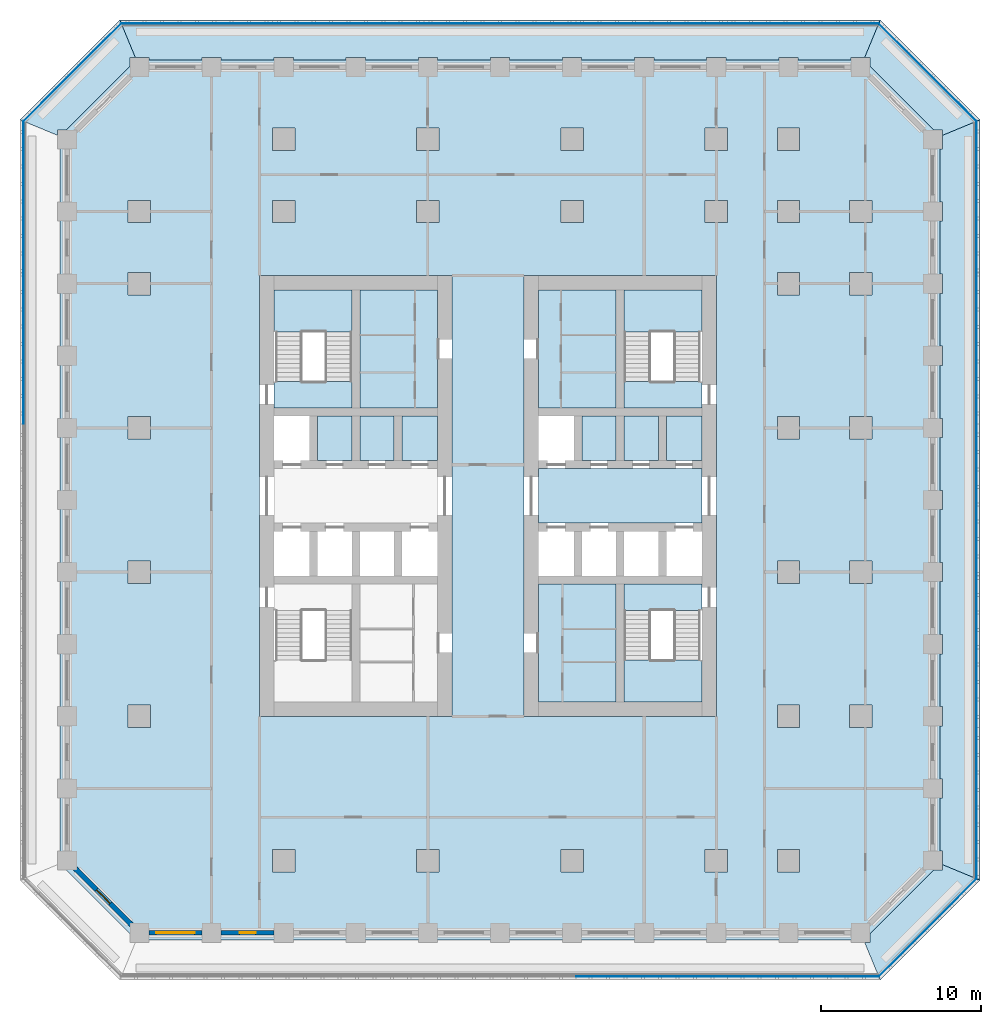
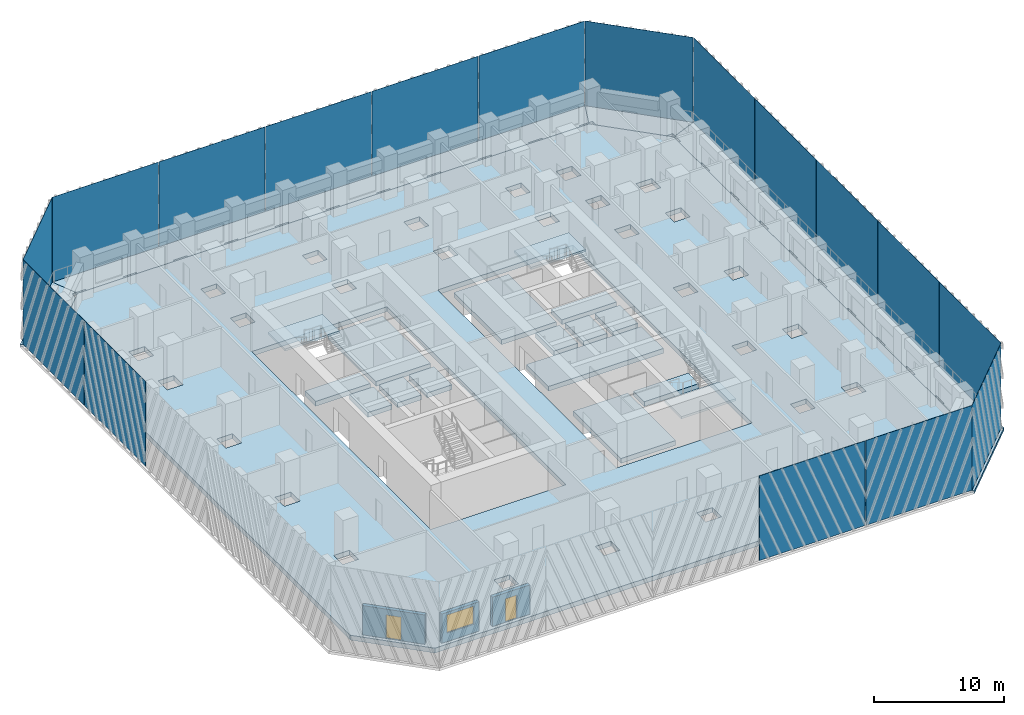
# One storey, part 2 of 19: 22 slabs, 17 plates, 3 walls, 2 doors, 1 window, 3 openings, 3 elements without a shape of their own.
"""IFC4 building model written with IfcOpenShell, lengths in metres."""

from ifc_helpers import new_model, si_unit, direction, frame, frame_2d, origin, origin_2d, place, context, subcontext, project, spatial, polyline, rectangle, outline, extrude, material, layer, layer_set, type_object, element, fill, aggregate, save


model = new_model("IFC4")

# Units and contexts
model_context = context("Model", 3, precision=1e-05, world=origin(), true_north=direction((0.0, 1.0)))
body_context = subcontext(model_context, "Body", "Model", "MODEL_VIEW")
ifc_project = project(units=[si_unit("LENGTHUNIT", "METRE"), si_unit("AREAUNIT", "SQUARE_METRE"), si_unit("VOLUMEUNIT", "CUBIC_METRE"), si_unit("PLANEANGLEUNIT", "RADIAN"), si_unit("MASSUNIT", "GRAM", prefix="KILO")], contexts=[model_context])

# Site, building, storey
site_placement = place(None, origin())
site = spatial("IfcSite", under=ifc_project, at=site_placement, CompositionType="ELEMENT")
building_placement = place(site_placement, origin())
building = spatial("IfcBuilding", under=site, at=building_placement, Name="Corbel Stack Research Tower", CompositionType="ELEMENT")
storey_placement = place(building_placement, frame((0.0, 0.0, 90.199951171875)))
storey = spatial("IfcBuildingStorey", under=building, at=storey_placement, Name="L20", CompositionType="ELEMENT", Elevation=90.199951171875)

# Plates
ifc_material_1 = material(Name="Fritted glass", Category="glass")
ifc_layer_1 = layer(ifc_material_1, 0.02490234375)
ifc_layer_set_1 = layer_set([ifc_layer_1], Name="Fritted glass")
plate_type = type_object("IfcPlateType", Name="Fritted glass panel 25", PredefinedType="SHEET", material=ifc_layer_set_1)
for number, where, z_axis, x_axis, name in (
    (1, (13.95556640625, -25.237548828125, 0.0), (0.0, 0.0, 1.0), (1.0, 0.0, 0.0), "Fritted glass L20 S4"),
    (2, (23.411376953125, -25.237548828125, 0.0), (0.0, 0.0, 1.0), (1.0, 0.0, 0.0), "Fritted glass L20 S5"),
):
    element("IfcPlate", number, at=place(storey_placement, frame(where, z_axis=z_axis, x_axis=x_axis)), inside=storey, type_object=plate_type, Name=name, PredefinedType="SHEET", context=body_context, shape_type="SweptSolid", body=[
        extrude(rectangle(XDim=9.3955078125, YDim=0.02490234375, at=origin_2d()), origin(), (0.0, 0.0, 1.0), 7.949951171875),
    ])
plate_1_placement = place(storey_placement, frame((31.185791015625, -22.185791015625, 0.0), z_axis=(0.0, 0.0, 1.0), x_axis=(0.707106781187, 0.707106781187, 0.0)))
element("IfcPlate", 3, at=plate_1_placement, inside=storey, type_object=plate_type, Name="Fritted glass L20 SE1", PredefinedType="SHEET", context=body_context, shape_type="SweptSolid", body=[
    extrude(rectangle(XDim=8.58203125, YDim=0.02490234375, at=origin_2d()), origin(), (0.0, 0.0, 1.0), 7.949951171875),
])
for number, where, z_axis, x_axis, name in (
    (4, (34.237548828125, -14.411376953125, 0.0), (0.0, 0.0, 1.0), (0.0, 1.0, 0.0), "Fritted glass L20 E1"),
    (5, (34.237548828125, -4.95556640625, 0.0), (0.0, 0.0, 1.0), (0.0, 1.0, 0.0), "Fritted glass L20 E2"),
    (6, (34.237548828125, 4.5, 0.0), (0.0, 0.0, 1.0), (0.0, 1.0, 0.0), "Fritted glass L20 E3"),
    (7, (34.237548828125, 13.95556640625, 0.0), (0.0, 0.0, 1.0), (0.0, 1.0, 0.0), "Fritted glass L20 E4"),
    (8, (34.237548828125, 23.411376953125, 0.0), (0.0, 0.0, 1.0), (0.0, 1.0, 0.0), "Fritted glass L20 E5"),
):
    element("IfcPlate", number, at=place(storey_placement, frame(where, z_axis=z_axis, x_axis=x_axis)), inside=storey, type_object=plate_type, Name=name, PredefinedType="SHEET", context=body_context, shape_type="SweptSolid", body=[
        extrude(rectangle(XDim=9.3955078125, YDim=0.02490234375, at=origin_2d()), origin(), (0.0, 0.0, 1.0), 7.949951171875),
    ])
plate_2_placement = place(storey_placement, frame((31.185791015625, 31.185791015625, 0.0), z_axis=(0.0, 0.0, 1.0), x_axis=(-0.707106781187, 0.707106781187, 0.0)))
element("IfcPlate", 9, at=plate_2_placement, inside=storey, type_object=plate_type, Name="Fritted glass L20 NE1", PredefinedType="SHEET", context=body_context, shape_type="SweptSolid", body=[
    extrude(rectangle(XDim=8.58203125, YDim=0.02490234375, at=origin_2d()), origin(), (0.0, 0.0, 1.0), 7.949951171875),
])
for number, where, z_axis, x_axis, name in (
    (10, (23.411376953125, 34.237548828125, 0.0), (0.0, 0.0, 1.0), (-1.0, 0.0, 0.0), "Fritted glass L20 N1"),
    (11, (13.95556640625, 34.237548828125, 0.0), (0.0, 0.0, 1.0), (-1.0, 0.0, 0.0), "Fritted glass L20 N2"),
    (12, (4.5, 34.237548828125, 0.0), (0.0, 0.0, 1.0), (-1.0, 0.0, 0.0), "Fritted glass L20 N3"),
    (13, (-4.95556640625, 34.237548828125, 0.0), (0.0, 0.0, 1.0), (-1.0, 0.0, 0.0), "Fritted glass L20 N4"),
    (14, (-14.411376953125, 34.237548828125, 0.0), (0.0, 0.0, 1.0), (-1.0, 0.0, 0.0), "Fritted glass L20 N5"),
):
    element("IfcPlate", number, at=place(storey_placement, frame(where, z_axis=z_axis, x_axis=x_axis)), inside=storey, type_object=plate_type, Name=name, PredefinedType="SHEET", context=body_context, shape_type="SweptSolid", body=[
        extrude(rectangle(XDim=9.3955078125, YDim=0.02490234375, at=origin_2d()), origin(), (0.0, 0.0, 1.0), 7.949951171875),
    ])
plate_3_placement = place(storey_placement, frame((-22.185791015625, 31.185791015625, 0.0), z_axis=(0.0, 0.0, 1.0), x_axis=(-0.707106781187, -0.707106781187, 0.0)))
element("IfcPlate", 15, at=plate_3_placement, inside=storey, type_object=plate_type, Name="Fritted glass L20 NW1", PredefinedType="SHEET", context=body_context, shape_type="SweptSolid", body=[
    extrude(rectangle(XDim=8.58203125, YDim=0.02490234375, at=origin_2d()), origin(), (0.0, 0.0, 1.0), 7.949951171875),
])
for number, where, z_axis, x_axis, name in (
    (16, (-25.237548828125, 23.411376953125, 0.0), (0.0, 0.0, 1.0), (0.0, -1.0, 0.0), "Fritted glass L20 W1"),
    (17, (-25.237548828125, 13.95556640625, 0.0), (0.0, 0.0, 1.0), (0.0, -1.0, 0.0), "Fritted glass L20 W2"),
):
    element("IfcPlate", number, at=place(storey_placement, frame(where, z_axis=z_axis, x_axis=x_axis)), inside=storey, type_object=plate_type, Name=name, PredefinedType="SHEET", context=body_context, shape_type="SweptSolid", body=[
        extrude(rectangle(XDim=9.3955078125, YDim=0.02490234375, at=origin_2d()), origin(), (0.0, 0.0, 1.0), 7.949951171875),
    ])

# Slabs
ifc_material_2 = material(Name="Concrete C45/55", Category="concrete")
ifc_layer_2 = layer(ifc_material_2, 0.25)
ifc_layer_set_2 = layer_set([ifc_layer_2], Name="Concrete C45/55")
slab_type_1 = type_object("IfcSlabType", Name="PT balcony slab 250 C45/55", PredefinedType="FLOOR", material=ifc_layer_set_2)
slab_1_placement = place(storey_placement, frame((0.0, 0.0, -0.25)))
element("IfcSlab", 18, at=slab_1_placement, inside=storey, type_object=slab_type_1, Name="Loggia slab L20 SE", PredefinedType="FLOOR", context=body_context, shape_type="SweptSolid", body=[
    extrude(outline(polyline([(32.10009765625, -18.24853515625), (32.10009765625, -18.60009765625), (31.536376953125, -18.60009765625), (27.60009765625, -22.536376953125), (27.60009765625, -23.10009765625), (27.24853515625, -23.10009765625), (28.221923828125, -25.449951171875), (34.449951171875, -19.221923828125), (32.10009765625, -18.24853515625)])), origin(), (0.0, 0.0, 1.0), 0.25),
])
slab_2_placement = place(storey_placement, frame((0.0, 0.0, -0.25)))
element("IfcSlab", 19, at=slab_2_placement, inside=storey, type_object=slab_type_1, Name="Loggia slab L20 E", PredefinedType="FLOOR", context=body_context, shape_type="SweptSolid", body=[
    extrude(outline(polyline([(32.10009765625, 27.24853515625), (32.10009765625, 26.39990234375), (31.949951171875, 26.39990234375), (31.949951171875, 23.10009765625), (32.10009765625, 23.10009765625), (32.10009765625, 21.89990234375), (31.949951171875, 21.89990234375), (31.949951171875, 18.60009765625), (32.10009765625, 18.60009765625), (32.10009765625, 17.39990234375), (31.949951171875, 17.39990234375), (31.949951171875, 14.10009765625), (32.10009765625, 14.10009765625), (32.10009765625, 12.89990234375), (31.949951171875, 12.89990234375), (31.949951171875, 9.60009765625), (32.10009765625, 9.60009765625), (32.10009765625, 8.39990234375), (31.949951171875, 8.39990234375), (31.949951171875, 5.10009765625), (32.10009765625, 5.10009765625), (32.10009765625, 3.89990234375), (31.949951171875, 3.89990234375), (31.949951171875, 0.60009765625), (32.10009765625, 0.60009765625), (32.10009765625, -0.60009765625), (31.949951171875, -0.60009765625), (31.949951171875, -3.89990234375), (32.10009765625, -3.89990234375), (32.10009765625, -5.10009765625), (31.949951171875, -5.10009765625), (31.949951171875, -8.39990234375), (32.10009765625, -8.39990234375), (32.10009765625, -9.60009765625), (31.949951171875, -9.60009765625), (31.949951171875, -12.89990234375), (32.10009765625, -12.89990234375), (32.10009765625, -14.10009765625), (31.949951171875, -14.10009765625), (31.949951171875, -17.39990234375), (32.10009765625, -17.39990234375), (32.10009765625, -18.24853515625), (34.449951171875, -19.221923828125), (34.449951171875, 28.221923828125), (32.10009765625, 27.24853515625)])), origin(), (0.0, 0.0, 1.0), 0.25),
])
slab_3_placement = place(storey_placement, frame((0.0, 0.0, -0.25)))
element("IfcSlab", 20, at=slab_3_placement, inside=storey, type_object=slab_type_1, Name="Loggia slab L20 NE", PredefinedType="FLOOR", context=body_context, shape_type="SweptSolid", body=[
    extrude(outline(polyline([(27.24853515625, 32.10009765625), (27.60009765625, 32.10009765625), (27.60009765625, 31.536376953125), (31.536376953125, 27.60009765625), (32.10009765625, 27.60009765625), (32.10009765625, 27.24853515625), (34.449951171875, 28.221923828125), (28.221923828125, 34.449951171875), (27.24853515625, 32.10009765625)])), origin(), (0.0, 0.0, 1.0), 0.25),
])
slab_4_placement = place(storey_placement, frame((0.0, 0.0, -0.25)))
element("IfcSlab", 21, at=slab_4_placement, inside=storey, type_object=slab_type_1, Name="Loggia slab L20 N", PredefinedType="FLOOR", context=body_context, shape_type="SweptSolid", body=[
    extrude(outline(polyline([(-18.24853515625, 32.10009765625), (-17.39990234375, 32.10009765625), (-17.39990234375, 31.949951171875), (-14.10009765625, 31.949951171875), (-14.10009765625, 32.10009765625), (-12.89990234375, 32.10009765625), (-12.89990234375, 31.949951171875), (-9.60009765625, 31.949951171875), (-9.60009765625, 32.10009765625), (-8.39990234375, 32.10009765625), (-8.39990234375, 31.949951171875), (-5.10009765625, 31.949951171875), (-5.10009765625, 32.10009765625), (-3.89990234375, 32.10009765625), (-3.89990234375, 31.949951171875), (-0.60009765625, 31.949951171875), (-0.60009765625, 32.10009765625), (0.60009765625, 32.10009765625), (0.60009765625, 31.949951171875), (3.89990234375, 31.949951171875), (3.89990234375, 32.10009765625), (5.10009765625, 32.10009765625), (5.10009765625, 31.949951171875), (8.39990234375, 31.949951171875), (8.39990234375, 32.10009765625), (9.60009765625, 32.10009765625), (9.60009765625, 31.949951171875), (12.89990234375, 31.949951171875), (12.89990234375, 32.10009765625), (14.10009765625, 32.10009765625), (14.10009765625, 31.949951171875), (17.39990234375, 31.949951171875), (17.39990234375, 32.10009765625), (18.60009765625, 32.10009765625), (18.60009765625, 31.949951171875), (21.89990234375, 31.949951171875), (21.89990234375, 32.10009765625), (23.10009765625, 32.10009765625), (23.10009765625, 31.949951171875), (26.39990234375, 31.949951171875), (26.39990234375, 32.10009765625), (27.24853515625, 32.10009765625), (28.221923828125, 34.449951171875), (-19.221923828125, 34.449951171875), (-18.24853515625, 32.10009765625)])), origin(), (0.0, 0.0, 1.0), 0.25),
])
slab_5_placement = place(storey_placement, frame((0.0, 0.0, -0.25)))
element("IfcSlab", 22, at=slab_5_placement, inside=storey, type_object=slab_type_1, Name="Loggia slab L20 NW", PredefinedType="FLOOR", context=body_context, shape_type="SweptSolid", body=[
    extrude(outline(polyline([(-23.10009765625, 27.24853515625), (-23.10009765625, 27.60009765625), (-22.536376953125, 27.60009765625), (-18.60009765625, 31.536376953125), (-18.60009765625, 32.10009765625), (-18.24853515625, 32.10009765625), (-19.221923828125, 34.449951171875), (-25.449951171875, 28.221923828125), (-23.10009765625, 27.24853515625)])), origin(), (0.0, 0.0, 1.0), 0.25),
])
ifc_material_3 = material(Name="Concrete C45/55", Category="concrete")
ifc_layer_3 = layer(ifc_material_3, 0.449951171875)
ifc_layer_set_3 = layer_set([ifc_layer_3], Name="Concrete C45/55")
slab_type_2 = type_object("IfcSlabType", Name="PT-450", PredefinedType="FLOOR", material=ifc_layer_set_3)
slab_6_placement = place(storey_placement, frame((0.0, 0.0, -0.449951171875)))
element("IfcSlab", 23, at=slab_6_placement, inside=storey, type_object=slab_type_2, Name="Floor slab L20", PredefinedType="FLOOR", context=body_context, shape_type="SweptSolid", body=[
    extrude(outline(polyline([(-18.186279296875, -22.949951171875), (27.186279296875, -22.949951171875), (31.949951171875, -18.186279296875), (31.949951171875, 27.186279296875), (27.186279296875, 31.949951171875), (-18.186279296875, 31.949951171875), (-22.949951171875, 27.186279296875), (-22.949951171875, -18.186279296875), (-18.186279296875, -22.949951171875)]), holes=[polyline([(26.300048828125, 21.800048828125), (26.300048828125, 23.199951171875), (27.699951171875, 23.199951171875), (27.699951171875, 21.800048828125), (26.300048828125, 21.800048828125)]), polyline([(26.300048828125, -9.699951171875), (26.300048828125, -8.300048828125), (27.699951171875, -8.300048828125), (27.699951171875, -9.699951171875), (26.300048828125, -9.699951171875)]), polyline([(26.300048828125, -0.699951171875), (26.300048828125, 0.699951171875), (27.699951171875, 0.699951171875), (27.699951171875, -0.699951171875), (26.300048828125, -0.699951171875)]), polyline([(26.300048828125, 8.300048828125), (26.300048828125, 9.699951171875), (27.699951171875, 9.699951171875), (27.699951171875, 8.300048828125), (26.300048828125, 8.300048828125)]), polyline([(26.300048828125, 17.300048828125), (26.300048828125, 18.699951171875), (27.699951171875, 18.699951171875), (27.699951171875, 17.300048828125), (26.300048828125, 17.300048828125)]), polyline([(21.800048828125, 26.300048828125), (21.800048828125, 27.699951171875), (23.199951171875, 27.699951171875), (23.199951171875, 26.300048828125), (21.800048828125, 26.300048828125)]), polyline([(21.800048828125, 21.800048828125), (21.800048828125, 23.199951171875), (23.199951171875, 23.199951171875), (23.199951171875, 21.800048828125), (21.800048828125, 21.800048828125)]), polyline([(21.800048828125, 17.300048828125), (21.800048828125, 18.699951171875), (23.199951171875, 18.699951171875), (23.199951171875, 17.300048828125), (21.800048828125, 17.300048828125)]), polyline([(21.800048828125, 8.300048828125), (21.800048828125, 9.699951171875), (23.199951171875, 9.699951171875), (23.199951171875, 8.300048828125), (21.800048828125, 8.300048828125)]), polyline([(21.800048828125, -0.699951171875), (21.800048828125, 0.699951171875), (23.199951171875, 0.699951171875), (23.199951171875, -0.699951171875), (21.800048828125, -0.699951171875)]), polyline([(21.800048828125, -9.699951171875), (21.800048828125, -8.300048828125), (23.199951171875, -8.300048828125), (23.199951171875, -9.699951171875), (21.800048828125, -9.699951171875)]), polyline([(21.800048828125, -18.699951171875), (21.800048828125, -17.300048828125), (23.199951171875, -17.300048828125), (23.199951171875, -18.699951171875), (21.800048828125, -18.699951171875)]), polyline([(17.300048828125, 26.300048828125), (17.300048828125, 27.699951171875), (18.699951171875, 27.699951171875), (18.699951171875, 26.300048828125), (17.300048828125, 26.300048828125)]), polyline([(17.300048828125, 21.800048828125), (17.300048828125, 23.199951171875), (18.699951171875, 23.199951171875), (18.699951171875, 21.800048828125), (17.300048828125, 21.800048828125)]), polyline([(17.300048828125, -18.699951171875), (17.300048828125, -17.300048828125), (18.699951171875, -17.300048828125), (18.699951171875, -18.699951171875), (17.300048828125, -18.699951171875)]), polyline([(6.0, -9.0), (6.0, 18.5), (18.0, 18.5), (18.0, -9.0), (6.0, -9.0)]), polyline([(8.300048828125, 26.300048828125), (8.300048828125, 27.699951171875), (9.699951171875, 27.699951171875), (9.699951171875, 26.300048828125), (8.300048828125, 26.300048828125)]), polyline([(8.300048828125, 21.800048828125), (8.300048828125, 23.199951171875), (9.699951171875, 23.199951171875), (9.699951171875, 21.800048828125), (8.300048828125, 21.800048828125)]), polyline([(8.300048828125, -18.699951171875), (8.300048828125, -17.300048828125), (9.699951171875, -17.300048828125), (9.699951171875, -18.699951171875), (8.300048828125, -18.699951171875)]), polyline([(-10.5, -9.0), (-10.5, 18.5), (1.5, 18.5), (1.5, -9.0), (-10.5, -9.0)]), polyline([(-0.699951171875, 26.300048828125), (-0.699951171875, 27.699951171875), (0.699951171875, 27.699951171875), (0.699951171875, 26.300048828125), (-0.699951171875, 26.300048828125)]), polyline([(-0.699951171875, 21.800048828125), (-0.699951171875, 23.199951171875), (0.699951171875, 23.199951171875), (0.699951171875, 21.800048828125), (-0.699951171875, 21.800048828125)]), polyline([(-0.699951171875, -18.699951171875), (-0.699951171875, -17.300048828125), (0.699951171875, -17.300048828125), (0.699951171875, -18.699951171875), (-0.699951171875, -18.699951171875)]), polyline([(-9.699951171875, 26.300048828125), (-9.699951171875, 27.699951171875), (-8.300048828125, 27.699951171875), (-8.300048828125, 26.300048828125), (-9.699951171875, 26.300048828125)]), polyline([(-9.699951171875, 21.800048828125), (-9.699951171875, 23.199951171875), (-8.300048828125, 23.199951171875), (-8.300048828125, 21.800048828125), (-9.699951171875, 21.800048828125)]), polyline([(-8.300048828125, -18.699951171875), (-9.699951171875, -18.699951171875), (-9.699951171875, -17.300048828125), (-8.300048828125, -17.300048828125), (-8.300048828125, -18.699951171875)]), polyline([(-18.699951171875, 21.800048828125), (-18.699951171875, 23.199951171875), (-17.300048828125, 23.199951171875), (-17.300048828125, 21.800048828125), (-18.699951171875, 21.800048828125)]), polyline([(-18.699951171875, 17.300048828125), (-18.699951171875, 18.699951171875), (-17.300048828125, 18.699951171875), (-17.300048828125, 17.300048828125), (-18.699951171875, 17.300048828125)]), polyline([(-18.699951171875, 8.300048828125), (-18.699951171875, 9.699951171875), (-17.300048828125, 9.699951171875), (-17.300048828125, 8.300048828125), (-18.699951171875, 8.300048828125)]), polyline([(-18.699951171875, -0.699951171875), (-18.699951171875, 0.699951171875), (-17.300048828125, 0.699951171875), (-17.300048828125, -0.699951171875), (-18.699951171875, -0.699951171875)]), polyline([(-18.699951171875, -9.699951171875), (-18.699951171875, -8.300048828125), (-17.300048828125, -8.300048828125), (-17.300048828125, -9.699951171875), (-18.699951171875, -9.699951171875)])]), origin(), (0.0, 0.0, 1.0), 0.449951171875),
])
slab_7_placement = place(storey_placement, frame((0.0, 0.0, -0.449951171875)))
element("IfcSlab", 24, at=slab_7_placement, inside=storey, type_object=slab_type_2, Name="West core floor L20", PredefinedType="FLOOR", context=body_context, shape_type="SweptSolid", body=[
    extrude(outline(polyline([(-6.875, 6.949951171875), (-4.75, 6.949951171875), (-4.75, 9.75), (-6.875, 9.75), (-6.875, 6.949951171875)])), origin(), (0.0, 0.0, 1.0), 0.449951171875),
])
slab_8_placement = place(storey_placement, frame((0.0, 0.0, -0.449951171875)))
element("IfcSlab", 25, at=slab_8_placement, inside=storey, type_object=slab_type_2, Name="West core floor L20", PredefinedType="FLOOR", context=body_context, shape_type="SweptSolid", body=[
    extrude(outline(polyline([(-2.125, 6.949951171875), (-2.125, 9.75), (-4.25, 9.75), (-4.25, 6.949951171875), (-2.125, 6.949951171875)])), origin(), (0.0, 0.0, 1.0), 0.449951171875),
])
slab_9_placement = place(storey_placement, frame((0.0, 0.0, -0.449951171875)))
element("IfcSlab", 26, at=slab_9_placement, inside=storey, type_object=slab_type_2, Name="West core floor L20", PredefinedType="FLOOR", context=body_context, shape_type="SweptSolid", body=[
    extrude(outline(polyline([(0.60009765625, 17.60009765625), (-4.25, 17.60009765625), (-4.25, 10.25), (0.60009765625, 10.25), (0.60009765625, 17.60009765625)])), origin(), (0.0, 0.0, 1.0), 0.449951171875),
])
slab_10_placement = place(storey_placement, frame((0.0, 0.0, -0.449951171875)))
element("IfcSlab", 27, at=slab_10_placement, inside=storey, type_object=slab_type_2, Name="West core floor L20", PredefinedType="FLOOR", context=body_context, shape_type="SweptSolid", body=[
    extrude(outline(polyline([(0.60009765625, 9.75), (-1.625, 9.75), (-1.625, 6.949951171875), (0.60009765625, 6.949951171875), (0.60009765625, 9.75)])), origin(), (0.0, 0.0, 1.0), 0.449951171875),
])
slab_11_placement = place(storey_placement, frame((0.0, 0.0, -0.449951171875)))
element("IfcSlab", 28, at=slab_11_placement, inside=storey, type_object=slab_type_2, Name="East core floor L20", PredefinedType="FLOOR", context=body_context, shape_type="SweptSolid", body=[
    extrude(outline(polyline([(11.75, -0.75), (6.89990234375, -0.75), (6.89990234375, -8.10009765625), (11.75, -8.10009765625), (11.75, -0.75)])), origin(), (0.0, 0.0, 1.0), 0.449951171875),
])
slab_12_placement = place(storey_placement, frame((0.0, 0.0, -0.449951171875)))
element("IfcSlab", 29, at=slab_12_placement, inside=storey, type_object=slab_type_2, Name="East core floor L20", PredefinedType="FLOOR", context=body_context, shape_type="SweptSolid", body=[
    extrude(outline(polyline([(6.89990234375, 6.449951171875), (6.89990234375, 3.050048828125), (17.10009765625, 3.050048828125), (17.10009765625, 6.449951171875), (6.89990234375, 6.449951171875)])), origin(), (0.0, 0.0, 1.0), 0.449951171875),
])
slab_13_placement = place(storey_placement, frame((0.0, 0.0, -0.449951171875)))
element("IfcSlab", 30, at=slab_13_placement, inside=storey, type_object=slab_type_2, Name="East core floor L20", PredefinedType="FLOOR", context=body_context, shape_type="SweptSolid", body=[
    extrude(outline(polyline([(6.89990234375, 17.60009765625), (6.89990234375, 10.25), (11.75, 10.25), (11.75, 17.60009765625), (6.89990234375, 17.60009765625)])), origin(), (0.0, 0.0, 1.0), 0.449951171875),
])
slab_14_placement = place(storey_placement, frame((0.0, 0.0, -0.449951171875)))
element("IfcSlab", 31, at=slab_14_placement, inside=storey, type_object=slab_type_2, Name="East core floor L20", PredefinedType="FLOOR", context=body_context, shape_type="SweptSolid", body=[
    extrude(outline(polyline([(9.625, 6.949951171875), (11.75, 6.949951171875), (11.75, 9.75), (9.625, 9.75), (9.625, 6.949951171875)])), origin(), (0.0, 0.0, 1.0), 0.449951171875),
])
slab_15_placement = place(storey_placement, frame((0.0, 0.0, -0.449951171875)))
element("IfcSlab", 32, at=slab_15_placement, inside=storey, type_object=slab_type_2, Name="East core floor L20", PredefinedType="FLOOR", context=body_context, shape_type="SweptSolid", body=[
    extrude(outline(polyline([(14.375, 6.949951171875), (14.375, 9.75), (12.25, 9.75), (12.25, 6.949951171875), (14.375, 6.949951171875)])), origin(), (0.0, 0.0, 1.0), 0.449951171875),
])
slab_16_placement = place(storey_placement, frame((0.0, 0.0, -0.449951171875)))
element("IfcSlab", 33, at=slab_16_placement, inside=storey, type_object=slab_type_2, Name="East core floor L20", PredefinedType="FLOOR", context=body_context, shape_type="SweptSolid", body=[
    extrude(outline(polyline([(17.10009765625, 6.949951171875), (17.10009765625, 9.75), (14.875, 9.75), (14.875, 6.949951171875), (17.10009765625, 6.949951171875)])), origin(), (0.0, 0.0, 1.0), 0.449951171875),
])
slab_17_placement = place(storey_placement, frame((0.0, 0.0, -0.449951171875)))
element("IfcSlab", 34, at=slab_17_placement, inside=storey, type_object=slab_type_2, Name="Stair floor landing ST-W2", PredefinedType="FLOOR", context=body_context, shape_type="SweptSolid", body=[
    extrude(outline(polyline([(-9.60009765625, 10.25), (-4.75, 10.25), (-4.75, 11.89990234375), (-9.60009765625, 11.89990234375), (-9.60009765625, 10.25)])), origin(), (0.0, 0.0, 1.0), 0.449951171875),
])
slab_18_placement = place(storey_placement, frame((0.0, 0.0, -0.449951171875)))
element("IfcSlab", 35, at=slab_18_placement, inside=storey, type_object=slab_type_2, Name="Stair floor landing ST-E1", PredefinedType="FLOOR", context=body_context, shape_type="SweptSolid", body=[
    extrude(outline(polyline([(12.25, -2.39990234375), (17.10009765625, -2.39990234375), (17.10009765625, -0.75), (12.25, -0.75), (12.25, -2.39990234375)])), origin(), (0.0, 0.0, 1.0), 0.449951171875),
])
slab_19_placement = place(storey_placement, frame((0.0, 0.0, -0.449951171875)))
element("IfcSlab", 36, at=slab_19_placement, inside=storey, type_object=slab_type_2, Name="Stair floor landing ST-E2", PredefinedType="FLOOR", context=body_context, shape_type="SweptSolid", body=[
    extrude(outline(polyline([(12.25, 10.25), (17.10009765625, 10.25), (17.10009765625, 11.89990234375), (12.25, 11.89990234375), (12.25, 10.25)])), origin(), (0.0, 0.0, 1.0), 0.449951171875),
])

# Stair, slab
ifc_material_4 = material(Name="Concrete C40/50", Category="concrete")
stair_type = type_object("IfcStairType", Name="Exit stair 24 risers", PredefinedType="HALF_TURN_STAIR", material=ifc_material_4)
stair_1_placement = place(storey_placement, origin())
stair_1 = element("IfcStair", 37, at=stair_1_placement, inside=storey, type_object=stair_type, Name="L20 Exit stair ST-W2", PredefinedType="HALF_TURN_STAIR")
ifc_material_5 = material(Name="Concrete C40/50", Category="concrete")
ifc_layer_4 = layer(ifc_material_5, 0.199951171875)
ifc_layer_set_4 = layer_set([ifc_layer_4], Name="Concrete C40/50")
slab_type_3 = type_object("IfcSlabType", Name="Stair landing 200 C40/50", PredefinedType="LANDING", material=ifc_layer_set_4)
slab_20_placement = place(storey_placement, frame((0.0, 0.0, 1.85009765625)))
slab_20 = element("IfcSlab", 38, at=slab_20_placement, type_object=slab_type_3, Name="ST-W2 landing 1", PredefinedType="LANDING", context=body_context, shape_type="SweptSolid", body=[
    extrude(outline(polyline([(-9.60009765625, 14.97998046875), (-9.60009765625, 17.60009765625), (-4.75, 17.60009765625), (-4.75, 14.97998046875), (-9.60009765625, 14.97998046875)])), origin(), (0.0, 0.0, 1.0), 0.199951171875),
])
aggregate(stair_1, [slab_20])

stair_2_placement = place(storey_placement, origin())
stair_2 = element("IfcStair", 39, at=stair_2_placement, inside=storey, type_object=stair_type, Name="L20 Exit stair ST-E1", PredefinedType="HALF_TURN_STAIR")
slab_21_placement = place(storey_placement, frame((0.0, 0.0, 1.85009765625)))
slab_21 = element("IfcSlab", 40, at=slab_21_placement, type_object=slab_type_3, Name="ST-E1 landing 1", PredefinedType="LANDING", context=body_context, shape_type="SweptSolid", body=[
    extrude(outline(polyline([(12.25, -8.10009765625), (12.25, -5.47998046875), (17.10009765625, -5.47998046875), (17.10009765625, -8.10009765625), (12.25, -8.10009765625)])), origin(), (0.0, 0.0, 1.0), 0.199951171875),
])
aggregate(stair_2, [slab_21])

stair_3_placement = place(storey_placement, origin())
stair_3 = element("IfcStair", 41, at=stair_3_placement, inside=storey, type_object=stair_type, Name="L20 Exit stair ST-E2", PredefinedType="HALF_TURN_STAIR")
slab_22_placement = place(storey_placement, frame((0.0, 0.0, 1.85009765625)))
slab_22 = element("IfcSlab", 42, at=slab_22_placement, type_object=slab_type_3, Name="ST-E2 landing 1", PredefinedType="LANDING", context=body_context, shape_type="SweptSolid", body=[
    extrude(outline(polyline([(12.25, 14.97998046875), (12.25, 17.60009765625), (17.10009765625, 17.60009765625), (17.10009765625, 14.97998046875), (12.25, 14.97998046875)])), origin(), (0.0, 0.0, 1.0), 0.199951171875),
])
aggregate(stair_3, [slab_22])

# Wall, opening, window
ifc_material_6 = material(Name="Concrete C45/55", Category="concrete")
ifc_layer_5 = layer(ifc_material_6, 0.300048828125)
ifc_layer_set_5 = layer_set([ifc_layer_5], Name="Concrete C45/55")
wall_type = type_object("IfcWallType", Name="Terracotta-faced concrete wall 300", PredefinedType="SOLIDWALL", material=ifc_layer_set_5)
wall_1_placement = place(storey_placement, frame((-14.10009765625, -22.5, 0.0), z_axis=(0.0, 0.0, 1.0), x_axis=(-1.0, 0.0, 0.0)))
wall_1 = element("IfcWall", 43, at=wall_1_placement, inside=storey, type_object=wall_type, Name="Facade wall L20 S01", PredefinedType="SOLIDWALL", context=body_context, shape_type="SweptSolid", body=[
    extrude(rectangle(XDim=3.2998046875, YDim=0.300048828125, at=frame_2d((1.64990234375, 0.0))), origin(), (0.0, 0.0, 1.0), 2.75),
])
opening_1_placement = place(wall_1_placement, frame((0.449951171875, 0.0, 0.800048828125)))
opening_1 = element("IfcOpeningElement", 44, at=opening_1_placement, cuts=wall_1, Name="Opening W1", PredefinedType="OPENING", context=body_context, shape_type="SweptSolid", body=[
    extrude(rectangle(XDim=2.39990234375, YDim=1.699951171875, at=frame_2d((1.199951171875, 0.85009765625))), frame((0.0, 0.159912109375, 0.0), z_axis=(0.0, -1.0, 0.0), x_axis=(1.0, 0.0, 0.0)), (0.0, 0.0, 1.0), 0.320068359375),
])
ifc_material_7 = material(Name="Aluminium frame, clear double glazing", Category="aluminium")
window_type = type_object("IfcWindowType", Name="Window W1 2400 x 1700", PartitioningType="SINGLE_PANEL", PredefinedType="WINDOW", material=ifc_material_7)
window_placement = place(opening_1_placement, origin())
window = element("IfcWindow", 45, at=window_placement, inside=storey, type_object=window_type, Name="Window W1 L20 S01", OverallHeight=1.699951171875, OverallWidth=2.39990234375, PartitioningType="SINGLE_PANEL", PredefinedType="WINDOW", context=body_context, shape_type="SweptSolid", body=[
    extrude(rectangle(XDim=2.39990234375, YDim=1.699951171875, at=frame_2d((1.199951171875, 0.85009765625))), frame((0.0, 0.030029296875, 0.0), z_axis=(0.0, -1.0, 0.0), x_axis=(1.0, 0.0, 0.0)), (0.0, 0.0, 1.0), 0.06005859375),
])
fill(opening_1, window)

# Wall, opening, door
wall_2_placement = place(storey_placement, frame((-9.60009765625, -22.5, 0.0), z_axis=(0.0, 0.0, 1.0), x_axis=(-1.0, 0.0, 0.0)))
wall_2 = element("IfcWall", 46, at=wall_2_placement, inside=storey, type_object=wall_type, Name="Facade wall L20 S02", PredefinedType="SOLIDWALL", context=body_context, shape_type="SweptSolid", body=[
    extrude(rectangle(XDim=3.2998046875, YDim=0.300048828125, at=frame_2d((1.64990234375, 0.0))), origin(), (0.0, 0.0, 1.0), 2.75),
])
opening_2_placement = place(wall_2_placement, frame((1.14990234375, 0.0, 0.0)))
opening_2 = element("IfcOpeningElement", 47, at=opening_2_placement, cuts=wall_2, Name="Opening L20-B01", PredefinedType="OPENING", context=body_context, shape_type="SweptSolid", body=[
    extrude(rectangle(XDim=1.0, YDim=2.199951171875, at=frame_2d((0.5, 1.10009765625))), frame((0.0, 0.159912109375, 0.0), z_axis=(0.0, -1.0, 0.0), x_axis=(1.0, 0.0, 0.0)), (0.0, 0.0, 1.0), 0.320068359375),
])
ifc_material_8 = material(Name="Aluminium frame, clear double glazing", Category="aluminium")
door_type_1 = type_object("IfcDoorType", Name="Balcony door BD1 1000 x 2200", OperationType="NOTDEFINED", PredefinedType="DOOR", material=ifc_material_8)
door_1_placement = place(opening_2_placement, origin())
door_1 = element("IfcDoor", 48, at=door_1_placement, inside=storey, type_object=door_type_1, Name="Balcony door L20-B01", OperationType="SINGLE_SWING_RIGHT", OverallHeight=2.199951171875, OverallWidth=1.0, PredefinedType="DOOR", context=body_context, shape_type="SweptSolid", body=[
    extrude(rectangle(XDim=1.0, YDim=2.199951171875, at=frame_2d((0.5, 1.10009765625))), frame((0.0, 0.02490234375, 0.0), z_axis=(0.0, -1.0, 0.0), x_axis=(1.0, 0.0, 0.0)), (0.0, 0.0, 1.0), 0.050048828125),
])
fill(opening_2, door_1)

wall_3_placement = place(storey_placement, frame((-18.493896484375, -22.006103515625, 0.0), z_axis=(0.0, 0.0, 1.0), x_axis=(-0.707106781187, 0.707106781187, 0.0)))
wall_3 = element("IfcWall", 49, at=wall_3_placement, inside=storey, type_object=wall_type, Name="Facade wall L20 SW01", PredefinedType="SOLIDWALL", context=body_context, shape_type="SweptSolid", body=[
    extrude(rectangle(XDim=4.967041015625, YDim=0.300048828125, at=frame_2d((2.4833984375, 0.0))), origin(), (0.0, 0.0, 1.0), 2.75),
])
opening_3_placement = place(wall_3_placement, frame((1.883544921875, 0.0, 0.0)))
opening_3 = element("IfcOpeningElement", 50, at=opening_3_placement, cuts=wall_3, Name="Opening L20-B12", PredefinedType="OPENING", context=body_context, shape_type="SweptSolid", body=[
    extrude(rectangle(XDim=1.199951171875, YDim=2.199951171875, at=frame_2d((0.60009765625, 1.10009765625))), frame((0.0, 0.159912109375, 0.0), z_axis=(0.0, -1.0, 0.0), x_axis=(1.0, 0.0, 0.0)), (0.0, 0.0, 1.0), 0.320068359375),
])
ifc_material_9 = material(Name="Aluminium frame, clear double glazing", Category="aluminium")
door_type_2 = type_object("IfcDoorType", Name="Balcony door BD2 1200 x 2200", OperationType="NOTDEFINED", PredefinedType="DOOR", material=ifc_material_9)
door_2_placement = place(opening_3_placement, origin())
door_2 = element("IfcDoor", 51, at=door_2_placement, inside=storey, type_object=door_type_2, Name="Balcony door L20-B12", OperationType="SINGLE_SWING_LEFT", OverallHeight=2.199951171875, OverallWidth=1.199951171875, PredefinedType="DOOR", context=body_context, shape_type="SweptSolid", body=[
    extrude(rectangle(XDim=1.199951171875, YDim=2.199951171875, at=frame_2d((0.60009765625, 1.10009765625))), frame((0.0, 0.02490234375, 0.0), z_axis=(0.0, -1.0, 0.0), x_axis=(1.0, 0.0, 0.0)), (0.0, 0.0, 1.0), 0.050048828125),
])
fill(opening_3, door_2)

save(model, "model.ifc")
